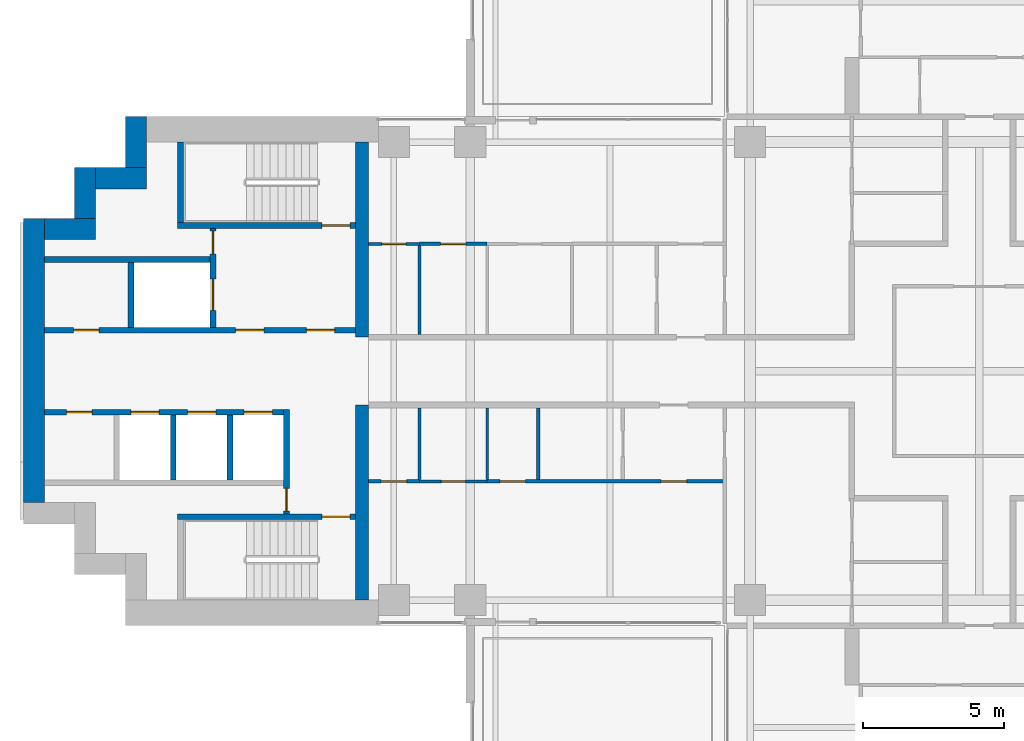
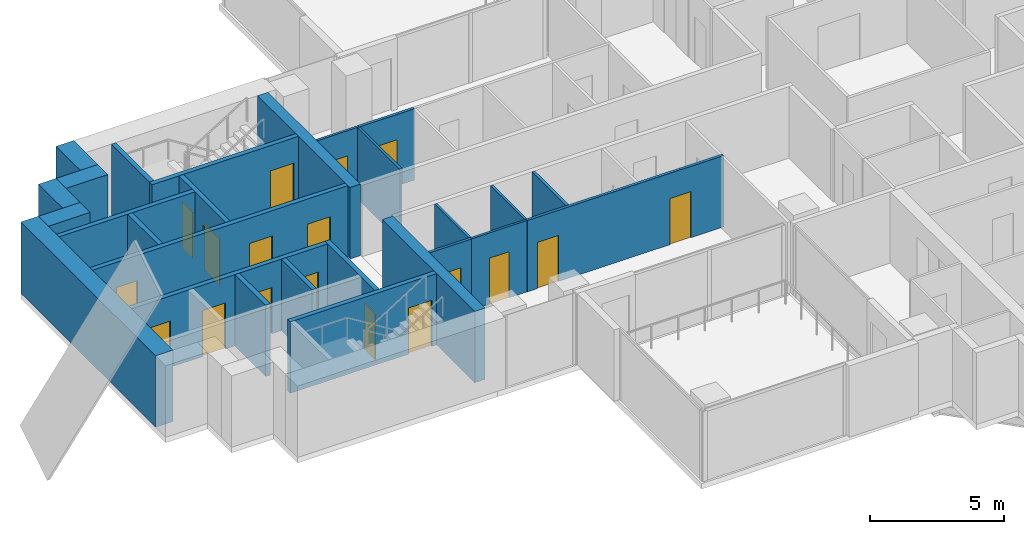
# One storey, part 9 of 18: 27 walls, 18 doors, 18 openings.
"""IFC4 building model written with IfcOpenShell, lengths in metres."""

from ifc_helpers import new_model, si_unit, direction, frame, frame_2d, origin, place, context, subcontext, project, spatial, rectangle, extrude, material, layer, layer_set, type_object, element, fill, save


model = new_model("IFC4")

# Units and contexts
model_context = context("Model", 3, precision=1e-05, world=origin(), true_north=direction((0.0, 1.0)))
body_context = subcontext(model_context, "Body", "Model", "MODEL_VIEW")
ifc_project = project(units=[si_unit("LENGTHUNIT", "METRE"), si_unit("AREAUNIT", "SQUARE_METRE"), si_unit("VOLUMEUNIT", "CUBIC_METRE"), si_unit("PLANEANGLEUNIT", "RADIAN"), si_unit("MASSUNIT", "GRAM", prefix="KILO")], contexts=[model_context])

# Site, building, storey
site_placement = place(None, origin())
site = spatial("IfcSite", under=ifc_project, at=site_placement, CompositionType="ELEMENT")
building_placement = place(site_placement, origin())
building = spatial("IfcBuilding", under=site, at=building_placement, Name="Perihelion Cross Residences", CompositionType="ELEMENT")
storey_placement = place(building_placement, frame((0.0, 0.0, 133.89990234375)))
storey = spatial("IfcBuildingStorey", under=building, at=storey_placement, Name="L32", CompositionType="ELEMENT", Elevation=133.89990234375)

# Walls
ifc_material_1 = material(Name="Concrete C60/75", Category="concrete")
ifc_layer_1 = layer(ifc_material_1, 0.449951171875)
ifc_layer_set_1 = layer_set([ifc_layer_1], Name="Core wall, inner 450")
wall_type_1 = type_object("IfcWallType", Name="Core wall, inner 450", PredefinedType="SHEAR", material=ifc_layer_set_1)
for number, where, z_axis, x_axis, name in (
    (1, (-21.824951171875, -8.10009765625, 0.0), (0.0, 0.0, 1.0), (0.0, 1.0, 0.0), "West core core wall, inner"),
    (2, (-21.824951171875, 1.199951171875, 0.0), (0.0, 0.0, 1.0), (0.0, 1.0, 0.0), "West core core wall, inner"),
):
    element("IfcWall", number, at=place(storey_placement, frame(where, z_axis=z_axis, x_axis=x_axis)), inside=storey, type_object=wall_type_1, Name=name, PredefinedType="SHEAR", context=body_context, shape_type="SweptSolid", body=[
        extrude(rectangle(XDim=6.900146484375, YDim=0.449951171875, at=frame_2d((3.4501953125, 0.0))), origin(), (0.0, 0.0, 1.0), 3.25),
    ])
ifc_material_2 = material(Name="Concrete C60/75", Category="concrete")
ifc_layer_2 = layer(ifc_material_2, 0.75)
ifc_layer_set_2 = layer_set([ifc_layer_2], Name="Core wall, outer 750")
wall_type_2 = type_object("IfcWallType", Name="Core wall, outer 750", PredefinedType="SHEAR", material=ifc_layer_set_2)
wall_1_placement = place(storey_placement, frame((-33.425048828125, -4.64990234375, 0.0), z_axis=(0.0, 0.0, 1.0), x_axis=(0.0, 1.0, 0.0)))
element("IfcWall", 3, at=wall_1_placement, inside=storey, type_object=wall_type_2, Name="West core core wall, outer", PredefinedType="SHEAR", context=body_context, shape_type="SweptSolid", body=[
    extrude(rectangle(XDim=10.0498046875, YDim=0.75, at=frame_2d((5.02490234375, 0.0))), origin(), (0.0, 0.0, 1.0), 3.25),
])
for number, where, z_axis, x_axis, name in (
    (4, (-33.050048828125, 5.02490234375, 0.0), (0.0, 0.0, 1.0), (1.0, 0.0, 0.0), "West core core wall, outer"),
    (5, (-31.625, 5.39990234375, 0.0), (0.0, 0.0, 1.0), (0.0, 1.0, 0.0), "West core core wall, outer"),
    (6, (-31.25, 6.824951171875, 0.0), (0.0, 0.0, 1.0), (1.0, 0.0, 0.0), "West core core wall, outer"),
    (7, (-29.824951171875, 7.199951171875, 0.0), (0.0, 0.0, 1.0), (0.0, 1.0, 0.0), "West core core wall, outer"),
):
    element("IfcWall", number, at=place(storey_placement, frame(where, z_axis=z_axis, x_axis=x_axis)), inside=storey, type_object=wall_type_2, Name=name, PredefinedType="SHEAR", context=body_context, shape_type="SweptSolid", body=[
        extrude(rectangle(XDim=1.800048828125, YDim=0.75, at=frame_2d((0.89990234375, 0.0))), origin(), (0.0, 0.0, 1.0), 3.25),
    ])

# Wall, opening, door
ifc_material_3 = material(Name="Concrete C50/60", Category="concrete")
ifc_layer_3 = layer(ifc_material_3, 0.199951171875)
ifc_layer_set_3 = layer_set([ifc_layer_3], Name="Lobby wall 200")
wall_type_3 = type_object("IfcWallType", Name="Lobby wall 200", PredefinedType="SOLIDWALL", material=ifc_layer_set_3)
wall_2_placement = place(storey_placement, frame((-24.5, -5.050048828125, 0.0), z_axis=(0.0, 0.0, 1.0), x_axis=(0.0, 1.0, 0.0)))
wall_2 = element("IfcWall", 8, at=wall_2_placement, inside=storey, type_object=wall_type_3, Name="West core lobby wall", PredefinedType="SOLIDWALL", context=body_context, shape_type="SweptSolid", body=[
    extrude(rectangle(XDim=3.699951171875, YDim=0.199951171875, at=frame_2d((1.85009765625, 0.0))), origin(), (0.0, 0.0, 1.0), 3.25),
])
opening_1_placement = place(wall_2_placement, frame((0.10009765625, 0.0, 0.0)))
opening_1 = element("IfcOpeningElement", 9, at=opening_1_placement, cuts=wall_2, Name="Opening L32.C20", PredefinedType="OPENING", context=body_context, shape_type="SweptSolid", body=[
    extrude(rectangle(XDim=0.800048828125, YDim=2.10009765625, at=frame_2d((0.39990234375, 1.050048828125))), frame((0.0, 0.10986328125, 0.0), z_axis=(0.0, -1.0, 0.0), x_axis=(1.0, 0.0, 0.0)), (0.0, 0.0, 1.0), 0.219970703125),
])
ifc_material_4 = material(Name="Steel, powder coated", Category="steel")
door_type_1 = type_object("IfcDoorType", Name="Riser door 800", OperationType="SINGLE_SWING_LEFT", PredefinedType="DOOR", material=ifc_material_4)
door_1_placement = place(opening_1_placement, origin())
door_1 = element("IfcDoor", 10, at=door_1_placement, inside=storey, type_object=door_type_1, Name="West core riser door", OperationType="SINGLE_SWING_LEFT", OverallHeight=2.10009765625, OverallWidth=0.800048828125, PredefinedType="DOOR", context=body_context, shape_type="SweptSolid", body=[
    extrude(rectangle(XDim=0.800048828125, YDim=2.10009765625, at=frame_2d((0.39990234375, 1.050048828125))), frame((0.0, 0.02490234375, 0.0), z_axis=(0.0, -1.0, 0.0), x_axis=(1.0, 0.0, 0.0)), (0.0, 0.0, 1.0), 0.050048828125),
])
fill(opening_1, door_1)

ifc_material_5 = material(Name="Plasterboard partition")
ifc_layer_4 = layer(ifc_material_5, 0.1201171875)
ifc_layer_set_4 = layer_set([ifc_layer_4], Name="Partition wall 120")
wall_type_4 = type_object("IfcWallType", Name="Partition wall 120", PredefinedType="PARTITIONING", material=ifc_layer_set_4)
wall_3_placement = place(storey_placement, frame((-19.800048828125, 4.5, 0.0), z_axis=(0.0, 0.0, 1.0), x_axis=(1.0, 0.0, 0.0)))
wall_3 = element("IfcWall", 11, at=wall_3_placement, inside=storey, type_object=wall_type_4, Name="Partition L32 W048", PredefinedType="PARTITIONING", context=body_context, shape_type="SweptSolid", body=[
    extrude(rectangle(XDim=2.400146484375, YDim=0.1201171875, at=frame_2d((1.2001953125, 0.0))), origin(), (0.0, 0.0, 1.0), 3.25),
])
opening_2_placement = place(wall_3_placement, frame((0.75, 0.0, 0.0)))
opening_2 = element("IfcOpeningElement", 12, at=opening_2_placement, cuts=wall_3, Name="Opening L32.A23", PredefinedType="OPENING", context=body_context, shape_type="SweptSolid", body=[
    extrude(rectangle(XDim=0.89990234375, YDim=2.10009765625, at=frame_2d((0.449951171875, 1.050048828125))), frame((0.0, 0.070068359375, 0.0), z_axis=(0.0, -1.0, 0.0), x_axis=(1.0, 0.0, 0.0)), (0.0, 0.0, 1.0), 0.14013671875),
])
ifc_material_6 = material(Name="Timber door leaf", Category="wood")
door_type_2 = type_object("IfcDoorType", Name="Interior room door 900 x 2100", OperationType="SINGLE_SWING_LEFT", PredefinedType="DOOR", material=ifc_material_6)
door_2_placement = place(opening_2_placement, origin())
door_2 = element("IfcDoor", 13, at=door_2_placement, inside=storey, type_object=door_type_2, Name="Door L32.A23", OperationType="SINGLE_SWING_LEFT", OverallHeight=2.10009765625, OverallWidth=0.89990234375, PredefinedType="DOOR", context=body_context, shape_type="SweptSolid", body=[
    extrude(rectangle(XDim=0.89990234375, YDim=2.10009765625, at=frame_2d((0.449951171875, 1.050048828125))), frame((0.0, 0.02490234375, 0.0), z_axis=(0.0, -1.0, 0.0), x_axis=(1.0, 0.0, 0.0)), (0.0, 0.0, 1.0), 0.050048828125),
])
fill(opening_2, door_2)

# Wall, openings, doors
wall_4_placement = place(storey_placement, frame((-8.93994140625, -3.89990234375, 0.0), z_axis=(0.0, 0.0, 1.0), x_axis=(-1.0, 0.0, 0.0)))
wall_4 = element("IfcWall", 14, at=wall_4_placement, inside=storey, type_object=wall_type_4, Name="Partition L32 W054", PredefinedType="PARTITIONING", context=body_context, shape_type="SweptSolid", body=[
    extrude(rectangle(XDim=8.4599609375, YDim=0.1201171875, at=frame_2d((4.22998046875, 0.0))), origin(), (0.0, 0.0, 1.0), 3.25),
])
opening_3_placement = place(wall_4_placement, frame((7.110107421875, 0.0, 0.0)))
opening_3 = element("IfcOpeningElement", 15, at=opening_3_placement, cuts=wall_4, Name="Opening L32.A27", PredefinedType="OPENING", context=body_context, shape_type="SweptSolid", body=[
    extrude(rectangle(XDim=0.89990234375, YDim=2.10009765625, at=frame_2d((0.449951171875, 1.050048828125))), frame((0.0, 0.070068359375, 0.0), z_axis=(0.0, -1.0, 0.0), x_axis=(1.0, 0.0, 0.0)), (0.0, 0.0, 1.0), 0.14013671875),
])
opening_4_placement = place(wall_4_placement, frame((1.409912109375, 0.0, 0.0)))
opening_4 = element("IfcOpeningElement", 16, at=opening_4_placement, cuts=wall_4, Name="Opening L32.A31", PredefinedType="OPENING", context=body_context, shape_type="SweptSolid", body=[
    extrude(rectangle(XDim=0.89990234375, YDim=2.10009765625, at=frame_2d((0.449951171875, 1.050048828125))), frame((0.0, 0.070068359375, 0.0), z_axis=(0.0, -1.0, 0.0), x_axis=(1.0, 0.0, 0.0)), (0.0, 0.0, 1.0), 0.14013671875),
])
door_3_placement = place(opening_3_placement, origin())
door_3 = element("IfcDoor", 17, at=door_3_placement, inside=storey, type_object=door_type_2, Name="Door L32.A27", OperationType="SINGLE_SWING_RIGHT", OverallHeight=2.10009765625, OverallWidth=0.89990234375, PredefinedType="DOOR", context=body_context, shape_type="SweptSolid", body=[
    extrude(rectangle(XDim=0.89990234375, YDim=2.10009765625, at=frame_2d((0.449951171875, 1.050048828125))), frame((0.0, 0.02490234375, 0.0), z_axis=(0.0, -1.0, 0.0), x_axis=(1.0, 0.0, 0.0)), (0.0, 0.0, 1.0), 0.050048828125),
])
fill(opening_3, door_3)
door_4_placement = place(opening_4_placement, origin())
door_4 = element("IfcDoor", 18, at=door_4_placement, inside=storey, type_object=door_type_2, Name="Door L32.A31", OperationType="SINGLE_SWING_RIGHT", OverallHeight=2.10009765625, OverallWidth=0.89990234375, PredefinedType="DOOR", context=body_context, shape_type="SweptSolid", body=[
    extrude(rectangle(XDim=0.89990234375, YDim=2.10009765625, at=frame_2d((0.449951171875, 1.050048828125))), frame((0.0, 0.02490234375, 0.0), z_axis=(0.0, -1.0, 0.0), x_axis=(1.0, 0.0, 0.0)), (0.0, 0.0, 1.0), 0.050048828125),
])
fill(opening_4, door_4)

# Wall
wall_5_placement = place(storey_placement, frame((-15.60009765625, -3.840087890625, 0.0), z_axis=(0.0, 0.0, 1.0), x_axis=(0.0, 1.0, 0.0)))
element("IfcWall", 19, at=wall_5_placement, inside=storey, type_object=wall_type_4, Name="Partition L32 W056", PredefinedType="PARTITIONING", context=body_context, shape_type="SweptSolid", body=[
    extrude(rectangle(XDim=2.5400390625, YDim=0.1201171875, at=frame_2d((1.27001953125, 0.0))), origin(), (0.0, 0.0, 1.0), 3.25),
])

# Wall, opening, door
wall_6_placement = place(storey_placement, frame((-19.800048828125, -3.89990234375, 0.0), z_axis=(0.0, 0.0, 1.0), x_axis=(-1.0, 0.0, 0.0)))
wall_6 = element("IfcWall", 20, at=wall_6_placement, inside=storey, type_object=wall_type_4, Name="Partition L32 W060", PredefinedType="PARTITIONING", context=body_context, shape_type="SweptSolid", body=[
    extrude(rectangle(XDim=1.800048828125, YDim=0.1201171875, at=frame_2d((0.89990234375, 0.0))), origin(), (0.0, 0.0, 1.0), 3.25),
])
opening_5_placement = place(wall_6_placement, frame((0.449951171875, 0.0, 0.0)))
opening_5 = element("IfcOpeningElement", 21, at=opening_5_placement, cuts=wall_6, Name="Opening L32.A25", PredefinedType="OPENING", context=body_context, shape_type="SweptSolid", body=[
    extrude(rectangle(XDim=0.89990234375, YDim=2.10009765625, at=frame_2d((0.449951171875, 1.050048828125))), frame((0.0, 0.070068359375, 0.0), z_axis=(0.0, -1.0, 0.0), x_axis=(1.0, 0.0, 0.0)), (0.0, 0.0, 1.0), 0.14013671875),
])
door_5_placement = place(opening_5_placement, origin())
door_5 = element("IfcDoor", 22, at=door_5_placement, inside=storey, type_object=door_type_2, Name="Door L32.A25", OperationType="SINGLE_SWING_RIGHT", OverallHeight=2.10009765625, OverallWidth=0.89990234375, PredefinedType="DOOR", context=body_context, shape_type="SweptSolid", body=[
    extrude(rectangle(XDim=0.89990234375, YDim=2.10009765625, at=frame_2d((0.449951171875, 1.050048828125))), frame((0.0, 0.02490234375, 0.0), z_axis=(0.0, -1.0, 0.0), x_axis=(1.0, 0.0, 0.0)), (0.0, 0.0, 1.0), 0.050048828125),
])
fill(opening_5, door_5)

# Wall, openings, doors
ifc_material_7 = material(Name="Concrete C50/60", Category="concrete")
ifc_layer_5 = layer(ifc_material_7, 0.199951171875)
ifc_layer_set_5 = layer_set([ifc_layer_5], Name="Shaft wall 200")
wall_type_5 = type_object("IfcWallType", Name="Shaft wall 200", PredefinedType="SOLIDWALL", material=ifc_layer_set_5)
wall_7_placement = place(storey_placement, frame((-33.050048828125, 1.449951171875, 0.0), z_axis=(0.0, 0.0, 1.0), x_axis=(1.0, 0.0, 0.0)))
wall_7 = element("IfcWall", 23, at=wall_7_placement, inside=storey, type_object=wall_type_5, Name="West core shaft wall", PredefinedType="SOLIDWALL", context=body_context, shape_type="SweptSolid", body=[
    extrude(rectangle(XDim=11.0, YDim=0.199951171875, at=frame_2d((5.5, 0.0))), origin(), (0.0, 0.0, 1.0), 3.25),
])
opening_6_placement = place(wall_7_placement, frame((9.25, 0.0, 0.0)))
opening_6 = element("IfcOpeningElement", 24, at=opening_6_placement, cuts=wall_7, Name="Opening L32.C19", PredefinedType="OPENING", context=body_context, shape_type="SweptSolid", body=[
    extrude(rectangle(XDim=1.0, YDim=2.10009765625, at=frame_2d((0.5, 1.050048828125))), frame((0.0, 0.10986328125, 0.0), z_axis=(0.0, -1.0, 0.0), x_axis=(1.0, 0.0, 0.0)), (0.0, 0.0, 1.0), 0.219970703125),
])
opening_7_placement = place(wall_7_placement, frame((6.75, 0.0, 0.0)))
opening_7 = element("IfcOpeningElement", 25, at=opening_7_placement, cuts=wall_7, Name="Opening L32.C21", PredefinedType="OPENING", context=body_context, shape_type="SweptSolid", body=[
    extrude(rectangle(XDim=1.0, YDim=2.10009765625, at=frame_2d((0.5, 1.050048828125))), frame((0.0, 0.10986328125, 0.0), z_axis=(0.0, -1.0, 0.0), x_axis=(1.0, 0.0, 0.0)), (0.0, 0.0, 1.0), 0.219970703125),
])
opening_8_placement = place(wall_7_placement, frame((1.02490234375, 0.0, 0.0)))
opening_8 = element("IfcOpeningElement", 26, at=opening_8_placement, cuts=wall_7, Name="Opening L32.C23", PredefinedType="OPENING", context=body_context, shape_type="SweptSolid", body=[
    extrude(rectangle(XDim=0.89990234375, YDim=2.10009765625, at=frame_2d((0.449951171875, 1.050048828125))), frame((0.0, 0.10986328125, 0.0), z_axis=(0.0, -1.0, 0.0), x_axis=(1.0, 0.0, 0.0)), (0.0, 0.0, 1.0), 0.219970703125),
])
ifc_material_8 = material(Name="Steel, powder coated", Category="steel")
door_type_3 = type_object("IfcDoorType", Name="Lobby door 1000", OperationType="SINGLE_SWING_LEFT", PredefinedType="DOOR", material=ifc_material_8)
door_6_placement = place(opening_6_placement, origin())
door_6 = element("IfcDoor", 27, at=door_6_placement, inside=storey, type_object=door_type_3, Name="West core firefighting lobby door", OperationType="SINGLE_SWING_LEFT", OverallHeight=2.10009765625, OverallWidth=1.0, PredefinedType="DOOR", context=body_context, shape_type="SweptSolid", body=[
    extrude(rectangle(XDim=1.0, YDim=2.10009765625, at=frame_2d((0.5, 1.050048828125))), frame((0.0, 0.02490234375, 0.0), z_axis=(0.0, -1.0, 0.0), x_axis=(1.0, 0.0, 0.0)), (0.0, 0.0, 1.0), 0.050048828125),
])
fill(opening_6, door_6)
door_7_placement = place(opening_7_placement, origin())
door_7 = element("IfcDoor", 28, at=door_7_placement, inside=storey, type_object=door_type_3, Name="West core firefighting lobby door", OperationType="SINGLE_SWING_LEFT", OverallHeight=2.10009765625, OverallWidth=1.0, PredefinedType="DOOR", context=body_context, shape_type="SweptSolid", body=[
    extrude(rectangle(XDim=1.0, YDim=2.10009765625, at=frame_2d((0.5, 1.050048828125))), frame((0.0, 0.02490234375, 0.0), z_axis=(0.0, -1.0, 0.0), x_axis=(1.0, 0.0, 0.0)), (0.0, 0.0, 1.0), 0.050048828125),
])
fill(opening_7, door_7)
ifc_material_9 = material(Name="Steel, powder coated", Category="steel")
door_type_4 = type_object("IfcDoorType", Name="Service room door 900", OperationType="SINGLE_SWING_LEFT", PredefinedType="DOOR", material=ifc_material_9)
door_8_placement = place(opening_8_placement, origin())
door_8 = element("IfcDoor", 29, at=door_8_placement, inside=storey, type_object=door_type_4, Name="West core service room door", OperationType="SINGLE_SWING_LEFT", OverallHeight=2.10009765625, OverallWidth=0.89990234375, PredefinedType="DOOR", context=body_context, shape_type="SweptSolid", body=[
    extrude(rectangle(XDim=0.89990234375, YDim=2.10009765625, at=frame_2d((0.449951171875, 1.050048828125))), frame((0.0, 0.02490234375, 0.0), z_axis=(0.0, -1.0, 0.0), x_axis=(1.0, 0.0, 0.0)), (0.0, 0.0, 1.0), 0.050048828125),
])
fill(opening_8, door_8)

wall_8_placement = place(storey_placement, frame((-33.050048828125, -1.449951171875, 0.0), z_axis=(0.0, 0.0, 1.0), x_axis=(1.0, 0.0, 0.0)))
wall_8 = element("IfcWall", 30, at=wall_8_placement, inside=storey, type_object=wall_type_5, Name="West core shaft wall", PredefinedType="SOLIDWALL", context=body_context, shape_type="SweptSolid", body=[
    extrude(rectangle(XDim=8.449951171875, YDim=0.199951171875, at=frame_2d((4.22509765625, 0.0))), origin(), (0.0, 0.0, 1.0), 3.25),
])
opening_9_placement = place(wall_8_placement, frame((7.050048828125, 0.0, 0.0)))
opening_9 = element("IfcOpeningElement", 31, at=opening_9_placement, cuts=wall_8, Name="Opening L32.C13", PredefinedType="OPENING", context=body_context, shape_type="SweptSolid", body=[
    extrude(rectangle(XDim=1.0, YDim=2.10009765625, at=frame_2d((0.5, 1.050048828125))), frame((0.0, 0.10986328125, 0.0), z_axis=(0.0, -1.0, 0.0), x_axis=(1.0, 0.0, 0.0)), (0.0, 0.0, 1.0), 0.219970703125),
])
opening_10_placement = place(wall_8_placement, frame((5.050048828125, 0.0, 0.0)))
opening_10 = element("IfcOpeningElement", 32, at=opening_10_placement, cuts=wall_8, Name="Opening L32.C15", PredefinedType="OPENING", context=body_context, shape_type="SweptSolid", body=[
    extrude(rectangle(XDim=1.0, YDim=2.10009765625, at=frame_2d((0.5, 1.050048828125))), frame((0.0, 0.10986328125, 0.0), z_axis=(0.0, -1.0, 0.0), x_axis=(1.0, 0.0, 0.0)), (0.0, 0.0, 1.0), 0.219970703125),
])
opening_11_placement = place(wall_8_placement, frame((3.050048828125, 0.0, 0.0)))
opening_11 = element("IfcOpeningElement", 33, at=opening_11_placement, cuts=wall_8, Name="Opening L32.C16", PredefinedType="OPENING", context=body_context, shape_type="SweptSolid", body=[
    extrude(rectangle(XDim=1.0, YDim=2.10009765625, at=frame_2d((0.5, 1.050048828125))), frame((0.0, 0.10986328125, 0.0), z_axis=(0.0, -1.0, 0.0), x_axis=(1.0, 0.0, 0.0)), (0.0, 0.0, 1.0), 0.219970703125),
])
opening_12_placement = place(wall_8_placement, frame((0.77490234375, 0.0, 0.0)))
opening_12 = element("IfcOpeningElement", 34, at=opening_12_placement, cuts=wall_8, Name="Opening L32.C24", PredefinedType="OPENING", context=body_context, shape_type="SweptSolid", body=[
    extrude(rectangle(XDim=0.89990234375, YDim=2.10009765625, at=frame_2d((0.449951171875, 1.050048828125))), frame((0.0, 0.10986328125, 0.0), z_axis=(0.0, -1.0, 0.0), x_axis=(1.0, 0.0, 0.0)), (0.0, 0.0, 1.0), 0.219970703125),
])
ifc_material_10 = material(Name="Stainless steel", Category="steel")
door_type_5 = type_object("IfcDoorType", Name="Landing door 1000", OperationType="DOUBLE_DOOR_SLIDING", PredefinedType="DOOR", material=ifc_material_10)
door_9_placement = place(opening_9_placement, origin())
door_9 = element("IfcDoor", 35, at=door_9_placement, inside=storey, type_object=door_type_5, Name="Landing door, West core high-rise lift 1", OperationType="DOUBLE_DOOR_SLIDING", OverallHeight=2.10009765625, OverallWidth=1.0, PredefinedType="DOOR", context=body_context, shape_type="SweptSolid", body=[
    extrude(rectangle(XDim=1.0, YDim=2.10009765625, at=frame_2d((0.5, 1.050048828125))), frame((0.0, 0.02490234375, 0.0), z_axis=(0.0, -1.0, 0.0), x_axis=(1.0, 0.0, 0.0)), (0.0, 0.0, 1.0), 0.050048828125),
])
fill(opening_9, door_9)
door_10_placement = place(opening_10_placement, origin())
door_10 = element("IfcDoor", 36, at=door_10_placement, inside=storey, type_object=door_type_5, Name="Landing door, West core high-rise lift 2", OperationType="DOUBLE_DOOR_SLIDING", OverallHeight=2.10009765625, OverallWidth=1.0, PredefinedType="DOOR", context=body_context, shape_type="SweptSolid", body=[
    extrude(rectangle(XDim=1.0, YDim=2.10009765625, at=frame_2d((0.5, 1.050048828125))), frame((0.0, 0.02490234375, 0.0), z_axis=(0.0, -1.0, 0.0), x_axis=(1.0, 0.0, 0.0)), (0.0, 0.0, 1.0), 0.050048828125),
])
fill(opening_10, door_10)
door_11_placement = place(opening_11_placement, origin())
door_11 = element("IfcDoor", 37, at=door_11_placement, inside=storey, type_object=door_type_5, Name="Landing door, West core high-rise lift 3", OperationType="DOUBLE_DOOR_SLIDING", OverallHeight=2.10009765625, OverallWidth=1.0, PredefinedType="DOOR", context=body_context, shape_type="SweptSolid", body=[
    extrude(rectangle(XDim=1.0, YDim=2.10009765625, at=frame_2d((0.5, 1.050048828125))), frame((0.0, 0.02490234375, 0.0), z_axis=(0.0, -1.0, 0.0), x_axis=(1.0, 0.0, 0.0)), (0.0, 0.0, 1.0), 0.050048828125),
])
fill(opening_11, door_11)
door_12_placement = place(opening_12_placement, origin())
door_12 = element("IfcDoor", 38, at=door_12_placement, inside=storey, type_object=door_type_4, Name="West core service room door", OperationType="SINGLE_SWING_LEFT", OverallHeight=2.10009765625, OverallWidth=0.89990234375, PredefinedType="DOOR", context=body_context, shape_type="SweptSolid", body=[
    extrude(rectangle(XDim=0.89990234375, YDim=2.10009765625, at=frame_2d((0.449951171875, 1.050048828125))), frame((0.0, 0.02490234375, 0.0), z_axis=(0.0, -1.0, 0.0), x_axis=(1.0, 0.0, 0.0)), (0.0, 0.0, 1.0), 0.050048828125),
])
fill(opening_12, door_12)

# Wall
wall_9_placement = place(storey_placement, frame((-33.050048828125, 3.949951171875, 0.0), z_axis=(0.0, 0.0, 1.0), x_axis=(1.0, 0.0, 0.0)))
element("IfcWall", 39, at=wall_9_placement, inside=storey, type_object=wall_type_5, Name="West core shaft wall", PredefinedType="SOLIDWALL", context=body_context, shape_type="SweptSolid", body=[
    extrude(rectangle(XDim=5.85009765625, YDim=0.199951171875, at=frame_2d((2.925048828125, 0.0))), origin(), (0.0, 0.0, 1.0), 3.25),
])

# Wall, openings, doors
wall_10_placement = place(storey_placement, frame((-27.10009765625, 1.550048828125, 0.0), z_axis=(0.0, 0.0, 1.0), x_axis=(0.0, 1.0, 0.0)))
wall_10 = element("IfcWall", 40, at=wall_10_placement, inside=storey, type_object=wall_type_5, Name="West core shaft wall", PredefinedType="SOLIDWALL", context=body_context, shape_type="SweptSolid", body=[
    extrude(rectangle(XDim=3.5, YDim=0.199951171875, at=frame_2d((1.75, 0.0))), origin(), (0.0, 0.0, 1.0), 3.25),
])
opening_13_placement = place(wall_10_placement, frame((0.60009765625, 0.0, 0.0)))
opening_13 = element("IfcOpeningElement", 41, at=opening_13_placement, cuts=wall_10, Name="Opening L32.C14", PredefinedType="OPENING", context=body_context, shape_type="SweptSolid", body=[
    extrude(rectangle(XDim=1.10009765625, YDim=2.10009765625, at=frame_2d((0.550048828125, 1.050048828125))), frame((0.0, 0.10986328125, 0.0), z_axis=(0.0, -1.0, 0.0), x_axis=(1.0, 0.0, 0.0)), (0.0, 0.0, 1.0), 0.219970703125),
])
opening_14_placement = place(wall_10_placement, frame((2.60009765625, 0.0, 0.0)))
opening_14 = element("IfcOpeningElement", 42, at=opening_14_placement, cuts=wall_10, Name="Opening L32.C22", PredefinedType="OPENING", context=body_context, shape_type="SweptSolid", body=[
    extrude(rectangle(XDim=0.800048828125, YDim=2.10009765625, at=frame_2d((0.39990234375, 1.050048828125))), frame((0.0, 0.10986328125, 0.0), z_axis=(0.0, -1.0, 0.0), x_axis=(1.0, 0.0, 0.0)), (0.0, 0.0, 1.0), 0.219970703125),
])
ifc_material_11 = material(Name="Stainless steel", Category="steel")
door_type_6 = type_object("IfcDoorType", Name="Landing door, firefighting lift 1100", OperationType="DOUBLE_DOOR_SLIDING", PredefinedType="DOOR", material=ifc_material_11)
door_13_placement = place(opening_13_placement, origin())
door_13 = element("IfcDoor", 43, at=door_13_placement, inside=storey, type_object=door_type_6, Name="Landing door, West core firefighting and service lift", OperationType="DOUBLE_DOOR_SLIDING", OverallHeight=2.10009765625, OverallWidth=1.10009765625, PredefinedType="DOOR", context=body_context, shape_type="SweptSolid", body=[
    extrude(rectangle(XDim=1.10009765625, YDim=2.10009765625, at=frame_2d((0.550048828125, 1.050048828125))), frame((0.0, 0.02490234375, 0.0), z_axis=(0.0, -1.0, 0.0), x_axis=(1.0, 0.0, 0.0)), (0.0, 0.0, 1.0), 0.050048828125),
])
fill(opening_13, door_13)
door_14_placement = place(opening_14_placement, origin())
door_14 = element("IfcDoor", 44, at=door_14_placement, inside=storey, type_object=door_type_1, Name="West core riser door", OperationType="SINGLE_SWING_LEFT", OverallHeight=2.10009765625, OverallWidth=0.800048828125, PredefinedType="DOOR", context=body_context, shape_type="SweptSolid", body=[
    extrude(rectangle(XDim=0.800048828125, YDim=2.10009765625, at=frame_2d((0.39990234375, 1.050048828125))), frame((0.0, 0.02490234375, 0.0), z_axis=(0.0, -1.0, 0.0), x_axis=(1.0, 0.0, 0.0)), (0.0, 0.0, 1.0), 0.050048828125),
])
fill(opening_14, door_14)

# Walls
for number, where, z_axis, x_axis, name in (
    (45, (-30.0, 1.550048828125, 0.0), (0.0, 0.0, 1.0), (0.0, 1.0, 0.0), "West core shaft wall"),
    (46, (-26.5, -3.85009765625, 0.0), (0.0, 0.0, 1.0), (0.0, 1.0, 0.0), "West core shaft wall"),
    (47, (-28.5, -3.85009765625, 0.0), (0.0, 0.0, 1.0), (0.0, 1.0, 0.0), "West core shaft wall"),
):
    element("IfcWall", number, at=place(storey_placement, frame(where, z_axis=z_axis, x_axis=x_axis)), inside=storey, type_object=wall_type_5, Name=name, PredefinedType="SOLIDWALL", context=body_context, shape_type="SweptSolid", body=[
        extrude(rectangle(XDim=2.300048828125, YDim=0.199951171875, at=frame_2d((1.14990234375, 0.0))), origin(), (0.0, 0.0, 1.0), 3.25),
    ])

# Wall, opening, door
ifc_material_12 = material(Name="Concrete C50/60", Category="concrete")
ifc_layer_6 = layer(ifc_material_12, 0.199951171875)
ifc_layer_set_6 = layer_set([ifc_layer_6], Name="Stair wall 200")
wall_type_6 = type_object("IfcWallType", Name="Stair wall 200", PredefinedType="SOLIDWALL", material=ifc_layer_set_6)
wall_11_placement = place(storey_placement, frame((-28.35009765625, 5.14990234375, 0.0), z_axis=(0.0, 0.0, 1.0), x_axis=(1.0, 0.0, 0.0)))
wall_11 = element("IfcWall", 48, at=wall_11_placement, inside=storey, type_object=wall_type_6, Name="West core stair wall", PredefinedType="SOLIDWALL", context=body_context, shape_type="SweptSolid", body=[
    extrude(rectangle(XDim=6.300048828125, YDim=0.199951171875, at=frame_2d((3.14990234375, 0.0))), origin(), (0.0, 0.0, 1.0), 3.25),
])
opening_15_placement = place(wall_11_placement, frame((5.10009765625, 0.0, 0.0)))
opening_15 = element("IfcOpeningElement", 49, at=opening_15_placement, cuts=wall_11, Name="Opening L32.C18", PredefinedType="OPENING", context=body_context, shape_type="SweptSolid", body=[
    extrude(rectangle(XDim=1.0, YDim=2.10009765625, at=frame_2d((0.5, 1.050048828125))), frame((0.0, 0.10986328125, 0.0), z_axis=(0.0, -1.0, 0.0), x_axis=(1.0, 0.0, 0.0)), (0.0, 0.0, 1.0), 0.219970703125),
])
ifc_material_13 = material(Name="Steel, powder coated", Category="steel")
door_type_7 = type_object("IfcDoorType", Name="Stair door 1000", OperationType="SINGLE_SWING_LEFT", PredefinedType="DOOR", material=ifc_material_13)
door_15_placement = place(opening_15_placement, origin())
door_15 = element("IfcDoor", 50, at=door_15_placement, inside=storey, type_object=door_type_7, Name="West core stair door", OperationType="SINGLE_SWING_LEFT", OverallHeight=2.10009765625, OverallWidth=1.0, PredefinedType="DOOR", context=body_context, shape_type="SweptSolid", body=[
    extrude(rectangle(XDim=1.0, YDim=2.10009765625, at=frame_2d((0.5, 1.050048828125))), frame((0.0, 0.02490234375, 0.0), z_axis=(0.0, -1.0, 0.0), x_axis=(1.0, 0.0, 0.0)), (0.0, 0.0, 1.0), 0.050048828125),
])
fill(opening_15, door_15)

wall_12_placement = place(storey_placement, frame((-28.35009765625, -5.14990234375, 0.0), z_axis=(0.0, 0.0, 1.0), x_axis=(1.0, 0.0, 0.0)))
wall_12 = element("IfcWall", 51, at=wall_12_placement, inside=storey, type_object=wall_type_6, Name="West core stair wall", PredefinedType="SOLIDWALL", context=body_context, shape_type="SweptSolid", body=[
    extrude(rectangle(XDim=6.300048828125, YDim=0.199951171875, at=frame_2d((3.14990234375, 0.0))), origin(), (0.0, 0.0, 1.0), 3.25),
])
opening_16_placement = place(wall_12_placement, frame((5.10009765625, 0.0, 0.0)))
opening_16 = element("IfcOpeningElement", 52, at=opening_16_placement, cuts=wall_12, Name="Opening L32.C17", PredefinedType="OPENING", context=body_context, shape_type="SweptSolid", body=[
    extrude(rectangle(XDim=1.0, YDim=2.10009765625, at=frame_2d((0.5, 1.050048828125))), frame((0.0, 0.10986328125, 0.0), z_axis=(0.0, -1.0, 0.0), x_axis=(1.0, 0.0, 0.0)), (0.0, 0.0, 1.0), 0.219970703125),
])
door_16_placement = place(opening_16_placement, origin())
door_16 = element("IfcDoor", 53, at=door_16_placement, inside=storey, type_object=door_type_7, Name="West core stair door", OperationType="SINGLE_SWING_LEFT", OverallHeight=2.10009765625, OverallWidth=1.0, PredefinedType="DOOR", context=body_context, shape_type="SweptSolid", body=[
    extrude(rectangle(XDim=1.0, YDim=2.10009765625, at=frame_2d((0.5, 1.050048828125))), frame((0.0, 0.02490234375, 0.0), z_axis=(0.0, -1.0, 0.0), x_axis=(1.0, 0.0, 0.0)), (0.0, 0.0, 1.0), 0.050048828125),
])
fill(opening_16, door_16)

# Walls
wall_13_placement = place(storey_placement, frame((-28.25, 5.25, 0.0), z_axis=(0.0, 0.0, 1.0), x_axis=(0.0, 1.0, 0.0)))
element("IfcWall", 54, at=wall_13_placement, inside=storey, type_object=wall_type_6, Name="West core stair wall", PredefinedType="SOLIDWALL", context=body_context, shape_type="SweptSolid", body=[
    extrude(rectangle(XDim=2.85009765625, YDim=0.199951171875, at=frame_2d((1.425048828125, 0.0))), origin(), (0.0, 0.0, 1.0), 3.25),
])
ifc_material_14 = material(Name="Plasterboard partition")
ifc_layer_7 = layer(ifc_material_14, 0.10009765625)
ifc_layer_set_7 = layer_set([ifc_layer_7], Name="Wet room wall 100")
wall_type_7 = type_object("IfcWallType", Name="Wet room wall 100", PredefinedType="PARTITIONING", material=ifc_layer_set_7)
wall_14_placement = place(storey_placement, frame((-19.800048828125, 1.300048828125, 0.0), z_axis=(0.0, 0.0, 1.0), x_axis=(0.0, 1.0, 0.0)))
element("IfcWall", 55, at=wall_14_placement, inside=storey, type_object=wall_type_7, Name="Partition L32 W047", PredefinedType="PARTITIONING", context=body_context, shape_type="SweptSolid", body=[
    extrude(rectangle(XDim=3.139892578125, YDim=0.10009765625, at=frame_2d((1.56982421875, 0.0))), origin(), (0.0, 0.0, 1.0), 3.25),
])

# Wall, opening, door
wall_15_placement = place(storey_placement, frame((-21.60009765625, 4.5, 0.0), z_axis=(0.0, 0.0, 1.0), x_axis=(1.0, 0.0, 0.0)))
wall_15 = element("IfcWall", 56, at=wall_15_placement, inside=storey, type_object=wall_type_7, Name="Partition L32 W049", PredefinedType="PARTITIONING", context=body_context, shape_type="SweptSolid", body=[
    extrude(rectangle(XDim=1.800048828125, YDim=0.10009765625, at=frame_2d((0.89990234375, 0.0))), origin(), (0.0, 0.0, 1.0), 3.25),
])
opening_17_placement = place(wall_15_placement, frame((0.47509765625, 0.0, 0.0)))
opening_17 = element("IfcOpeningElement", 57, at=opening_17_placement, cuts=wall_15, Name="Opening L32.A21", PredefinedType="OPENING", context=body_context, shape_type="SweptSolid", body=[
    extrude(rectangle(XDim=0.85009765625, YDim=2.10009765625, at=frame_2d((0.425048828125, 1.050048828125))), frame((0.0, 0.06005859375, 0.0), z_axis=(0.0, -1.0, 0.0), x_axis=(1.0, 0.0, 0.0)), (0.0, 0.0, 1.0), 0.1201171875),
])
ifc_material_15 = material(Name="Timber door leaf", Category="wood")
door_type_8 = type_object("IfcDoorType", Name="Interior bathroom door 850 x 2100", OperationType="SINGLE_SWING_LEFT", PredefinedType="DOOR", material=ifc_material_15)
door_17_placement = place(opening_17_placement, origin())
door_17 = element("IfcDoor", 58, at=door_17_placement, inside=storey, type_object=door_type_8, Name="Door L32.A21", OperationType="SINGLE_SWING_LEFT", OverallHeight=2.10009765625, OverallWidth=0.85009765625, PredefinedType="DOOR", context=body_context, shape_type="SweptSolid", body=[
    extrude(rectangle(XDim=0.85009765625, YDim=2.10009765625, at=frame_2d((0.425048828125, 1.050048828125))), frame((0.0, 0.02490234375, 0.0), z_axis=(0.0, -1.0, 0.0), x_axis=(1.0, 0.0, 0.0)), (0.0, 0.0, 1.0), 0.050048828125),
])
fill(opening_17, door_17)

# Walls
for number, where, z_axis, x_axis, name in (
    (59, (-17.39990234375, -3.840087890625, 0.0), (0.0, 0.0, 1.0), (0.0, 1.0, 0.0), "Partition L32 W057"),
    (60, (-19.800048828125, -3.840087890625, 0.0), (0.0, 0.0, 1.0), (0.0, 1.0, 0.0), "Partition L32 W058"),
):
    element("IfcWall", number, at=place(storey_placement, frame(where, z_axis=z_axis, x_axis=x_axis)), inside=storey, type_object=wall_type_7, Name=name, PredefinedType="PARTITIONING", context=body_context, shape_type="SweptSolid", body=[
        extrude(rectangle(XDim=2.5400390625, YDim=0.10009765625, at=frame_2d((1.27001953125, 0.0))), origin(), (0.0, 0.0, 1.0), 3.25),
    ])

# Wall, opening, door
wall_16_placement = place(storey_placement, frame((-17.39990234375, -3.89990234375, 0.0), z_axis=(0.0, 0.0, 1.0), x_axis=(-1.0, 0.0, 0.0)))
wall_16 = element("IfcWall", 61, at=wall_16_placement, inside=storey, type_object=wall_type_7, Name="Partition L32 W059", PredefinedType="PARTITIONING", context=body_context, shape_type="SweptSolid", body=[
    extrude(rectangle(XDim=2.400146484375, YDim=0.10009765625, at=frame_2d((1.2001953125, 0.0))), origin(), (0.0, 0.0, 1.0), 3.25),
])
opening_18_placement = place(wall_16_placement, frame((0.77490234375, 0.0, 0.0)))
opening_18 = element("IfcOpeningElement", 62, at=opening_18_placement, cuts=wall_16, Name="Opening L32.A24", PredefinedType="OPENING", context=body_context, shape_type="SweptSolid", body=[
    extrude(rectangle(XDim=0.85009765625, YDim=2.10009765625, at=frame_2d((0.425048828125, 1.050048828125))), frame((0.0, 0.06005859375, 0.0), z_axis=(0.0, -1.0, 0.0), x_axis=(1.0, 0.0, 0.0)), (0.0, 0.0, 1.0), 0.1201171875),
])
door_18_placement = place(opening_18_placement, origin())
door_18 = element("IfcDoor", 63, at=door_18_placement, inside=storey, type_object=door_type_8, Name="Door L32.A24", OperationType="SINGLE_SWING_RIGHT", OverallHeight=2.10009765625, OverallWidth=0.85009765625, PredefinedType="DOOR", context=body_context, shape_type="SweptSolid", body=[
    extrude(rectangle(XDim=0.85009765625, YDim=2.10009765625, at=frame_2d((0.425048828125, 1.050048828125))), frame((0.0, 0.02490234375, 0.0), z_axis=(0.0, -1.0, 0.0), x_axis=(1.0, 0.0, 0.0)), (0.0, 0.0, 1.0), 0.050048828125),
])
fill(opening_18, door_18)

save(model, "model.ifc")
